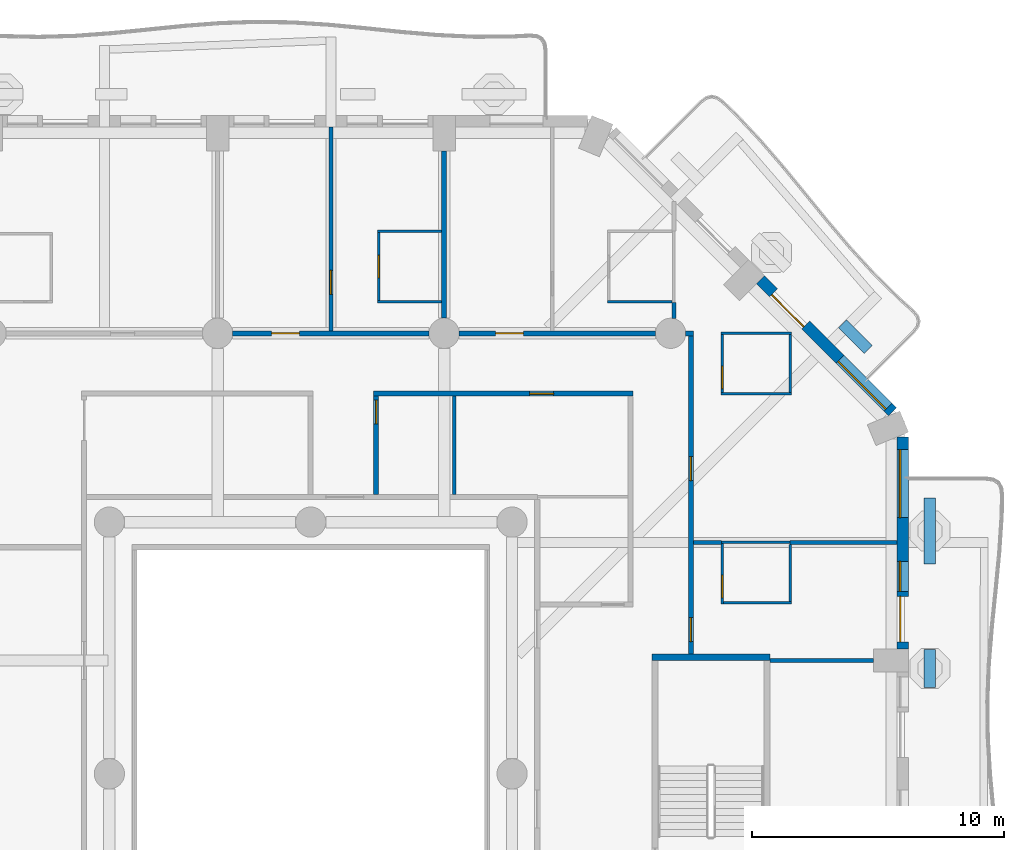
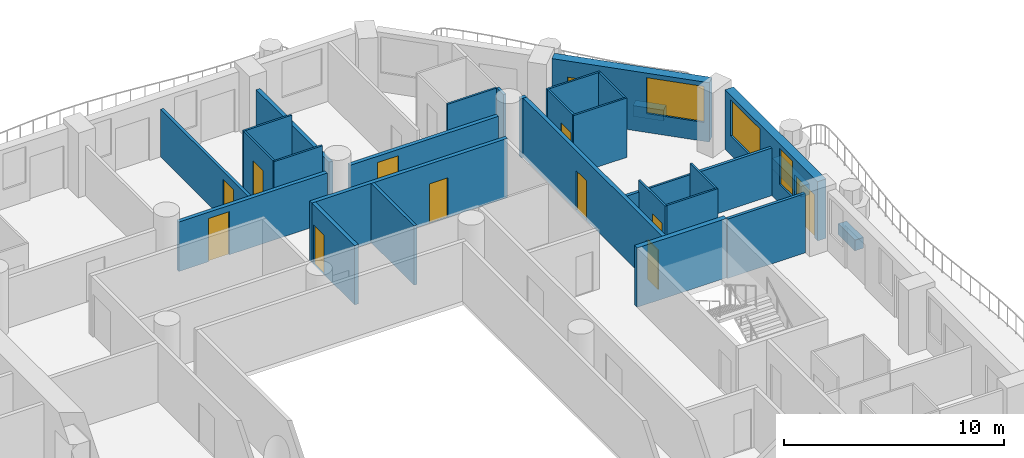
# One storey, part 9 of 20: 31 walls, 12 doors, 3 windows, 15 openings.
"""IFC4 building model written with IfcOpenShell, lengths in metres."""

import ifcopenshell
import ifcopenshell.guid

model = None  # the IFC model being written
_history = None  # IfcOwnerHistory: only IFC2X3 demands one
_inside = {}  # id of a spatial element -> (the spatial element, [elements in it])
_under = {}  # id of a project, library or spatial element -> (it, [spatial elements below it])
_declared = {}  # id of a project -> (the project, [libraries it declares])
_typed = {}  # id of a type object -> (the type object, [elements of that type])
_made_of = {}  # id of a material, layer set ... -> (it, [elements and type objects made of it])


def new_model(schema):
    """Start an empty IFC model of exactly this schema.

    Asked for "IFC4X3", IfcOpenShell would pick the latest addendum, in which some entities
    have other attributes; the version numbers below select the first issue.
    IFC2X3 requires an IfcOwnerHistory on every rooted entity: one is made here for all.
    """
    global model, _history
    if schema == "IFC4X3":
        model = ifcopenshell.file(schema_version=(4, 3, 0, 0))
    else:
        model = ifcopenshell.file(schema=schema)
    _inside.clear()
    _under.clear()
    _declared.clear()
    _typed.clear()
    _made_of.clear()
    _history = None
    if model.schema == "IFC2X3":
        org = make("IfcOrganization", Name="unknown")
        user = make(
            "IfcPersonAndOrganization",
            ThePerson=make("IfcPerson", FamilyName="unknown"),
            TheOrganization=org,
        )
        app = make(
            "IfcApplication",
            ApplicationDeveloper=org,
            Version="unknown",
            ApplicationFullName="unknown",
            ApplicationIdentifier="unknown",
        )
        _history = make(
            "IfcOwnerHistory",
            OwningUser=user,
            OwningApplication=app,
            ChangeAction="ADDED",
            CreationDate=0,
        )
    return model


def make(cls, **values):
    """One entity of the class cls with the attributes given. An attribute that is None is left unset."""
    return model.create_entity(
        cls, **{name: value for name, value in values.items() if value is not None}
    )


def rooted(cls, **values):
    """An entity with a GlobalId (a new one), such as an element, a storey or a relation."""
    return make(cls, GlobalId=ifcopenshell.guid.new(), OwnerHistory=_history, **values)


def si_unit(unit_type, name, prefix=None):
    """IfcSIUnit, for example si_unit("LENGTHUNIT", "METRE", prefix="MILLI")."""
    return make("IfcSIUnit", UnitType=unit_type, Prefix=prefix, Name=name)


def assignment(units):
    """IfcUnitAssignment: the units of a project."""
    return None if units is None else make("IfcUnitAssignment", Units=units)


def point(xyz):
    """IfcCartesianPoint."""
    return None if xyz is None else make("IfcCartesianPoint", Coordinates=xyz)


def direction(xyz):
    """IfcDirection."""
    return None if xyz is None else make("IfcDirection", DirectionRatios=xyz)


def frame(location, z_axis=None, x_axis=None):
    """IfcAxis2Placement3D, a coordinate frame: its origin and axes. An axis left out is left unset."""
    return make(
        "IfcAxis2Placement3D",
        Location=point(location),
        Axis=direction(z_axis),
        RefDirection=direction(x_axis),
    )


def frame_2d(location, x_axis=None):
    """IfcAxis2Placement2D, a coordinate frame in the plane: its origin and x axis."""
    return make(
        "IfcAxis2Placement2D", Location=point(location), RefDirection=direction(x_axis)
    )


def origin():
    """The frame at (0, 0, 0) with its axes left unset."""
    return frame((0.0, 0.0, 0.0))


def place(relative_to, where):
    """IfcLocalPlacement: puts the frame where relative to a parent placement (None: the world)."""
    return make(
        "IfcLocalPlacement", PlacementRelTo=relative_to, RelativePlacement=where
    )


def context(
    kind, dimensions, precision=None, world=None, true_north=None, identifier=None
):
    """IfcGeometricRepresentationContext, for example the 3D "Model" context."""
    return make(
        "IfcGeometricRepresentationContext",
        ContextIdentifier=identifier,
        ContextType=kind,
        CoordinateSpaceDimension=dimensions,
        Precision=precision,
        WorldCoordinateSystem=world,
        TrueNorth=true_north,
    )


def subcontext(parent, identifier, kind, view, scale=None):
    """IfcGeometricRepresentationSubContext, for example "Body" below "Model"."""
    return make(
        "IfcGeometricRepresentationSubContext",
        ContextIdentifier=identifier,
        ContextType=kind,
        ParentContext=parent,
        TargetScale=scale,
        TargetView=view,
    )


def project(units=None, contexts=None):
    """IfcProject with its units and contexts."""
    return rooted(
        "IfcProject",
        Name="project",
        RepresentationContexts=contexts,
        UnitsInContext=assignment(units),
    )


def spatial(cls, under=None, at=None, **own):
    """A site, building, storey or space (cls), placed at a placement, below another one or the project."""
    s = rooted(cls, ObjectPlacement=at, **own)
    if under is not None:
        _under.setdefault(under.id(), (under, []))[1].append(s)
    return s


def profile(cls, at=None, kind="AREA", **sizes):
    """A parametric profile (cls). Its sizes go by their IFC names, for example OverallWidth=200.0."""
    return make(cls, ProfileType=kind, Position=at, **sizes)


def rectangle(**sizes):
    """IfcRectangleProfileDef."""
    return profile("IfcRectangleProfileDef", **sizes)


def extrude(swept, where, along, depth):
    """IfcExtrudedAreaSolid: the profile swept, set in the frame where, extruded along a direction by depth."""
    return make(
        "IfcExtrudedAreaSolid",
        SweptArea=swept,
        Position=where,
        ExtrudedDirection=direction(along),
        Depth=depth,
    )


def shape(context_of_items, identifier, shape_type, items):
    """IfcShapeRepresentation: the items that make up one representation, for example the "Body"."""
    return make(
        "IfcShapeRepresentation",
        ContextOfItems=context_of_items,
        RepresentationIdentifier=identifier,
        RepresentationType=shape_type,
        Items=items,
    )


def material(Name=None, Category=None):
    """IfcMaterial."""
    return make("IfcMaterial", Name=Name, Category=Category)


def layer(
    of_material, thickness, ventilated=None, Name=None, Category=None, Priority=None
):
    """IfcMaterialLayer: one layer of a wall or slab, of a material (None: an air gap)."""
    return make(
        "IfcMaterialLayer",
        Material=of_material,
        LayerThickness=thickness,
        IsVentilated=ventilated,
        Name=Name,
        Category=Category,
        Priority=Priority,
    )


def layer_set(layers, Name=None):
    """IfcMaterialLayerSet."""
    return make("IfcMaterialLayerSet", MaterialLayers=layers, LayerSetName=Name)


def made_of(thing, what):
    """Note that an element or type object is made of a material, layer set ...; save() writes the relation."""
    if what is not None:
        _made_of.setdefault(what.id(), (what, []))[1].append(thing)
    return thing


def type_object(cls, material=None, **own):
    """A type object (cls), such as IfcWallType, which elements share."""
    return made_of(rooted(cls, **own), material)


def element(
    cls,
    number,
    at=None,
    inside=None,
    cuts=None,
    type_object=None,
    material=None,
    context=None,
    identifier="Body",
    shape_type=None,
    held_by="IfcProductDefinitionShape",
    body=None,
    shapes=None,
    **own,
):
    """One element of the class cls, such as IfcWall. Its Tag is "e" and its number.

    at: its placement. inside: the storey or other place that contains it. cuts: it is an
    opening in that element (IfcRelVoidsElement). A single representation is given by context,
    identifier, shape_type and body (its items); several are given by shapes. held_by: the class
    of the entity that holds the representations. save() writes the other relations.
    """
    e = rooted(cls, Tag="e%d" % number, ObjectPlacement=at, **own)
    if body is not None:
        shapes = [shape(context, identifier, shape_type, body)]
    if shapes is not None:
        e.Representation = make(held_by, Representations=shapes)
    if inside is not None:
        _inside.setdefault(inside.id(), (inside, []))[1].append(e)
    if cuts is not None:
        rooted(
            "IfcRelVoidsElement", RelatingBuildingElement=cuts, RelatedOpeningElement=e
        )
    if type_object is not None:
        _typed.setdefault(type_object.id(), (type_object, []))[1].append(e)
    return made_of(e, material)


def fill(opening, filler):
    """IfcRelFillsElement: the door or window that sits in an opening."""
    return rooted(
        "IfcRelFillsElement",
        RelatingOpeningElement=opening,
        RelatedBuildingElement=filler,
    )


def aggregate(whole, parts):
    """IfcRelAggregates: a whole, such as a stair, and the parts it consists of."""
    return rooted("IfcRelAggregates", RelatingObject=whole, RelatedObjects=parts)


def save(model, path):
    """Write the relations noted so far, then the file.

    IfcRelAggregates (storeys below a building ...), IfcRelContainedInSpatialStructure (elements
    in a storey), IfcRelDefinesByType, IfcRelAssociatesMaterial and IfcRelDeclares: one each for
    every whole, place, type object, material and project.
    """
    for whole, parts in _under.values():
        aggregate(whole, parts)
    for where, things in _inside.values():
        rooted(
            "IfcRelContainedInSpatialStructure",
            RelatedElements=things,
            RelatingStructure=where,
        )
    for kind, things in _typed.values():
        rooted("IfcRelDefinesByType", RelatedObjects=things, RelatingType=kind)
    for what, things in _made_of.values():
        rooted("IfcRelAssociatesMaterial", RelatedObjects=things, RelatingMaterial=what)
    for by, libraries in _declared.values():
        rooted("IfcRelDeclares", RelatingContext=by, RelatedDefinitions=libraries)
    model.write(path)


model = new_model("IFC4")

# Units and contexts
model_context = context("Model", 3, precision=1e-05, world=origin(), true_north=direction((0.0, 1.0)))
body_context = subcontext(model_context, "Body", "Model", "MODEL_VIEW")
ifc_project = project(units=[si_unit("LENGTHUNIT", "METRE"), si_unit("AREAUNIT", "SQUARE_METRE"), si_unit("VOLUMEUNIT", "CUBIC_METRE"), si_unit("PLANEANGLEUNIT", "RADIAN"), si_unit("MASSUNIT", "GRAM", prefix="KILO")], contexts=[model_context])

# Site, building, storey
site_placement = place(None, origin())
site = spatial("IfcSite", under=ifc_project, at=site_placement, CompositionType="ELEMENT")
building_placement = place(site_placement, origin())
building = spatial("IfcBuilding", under=site, at=building_placement, Name="Cypress Arch Tower", CompositionType="ELEMENT")
storey_placement = place(building_placement, frame((0.0, 0.0, 84.300048828125)))
storey = spatial("IfcBuildingStorey", under=building, at=storey_placement, Name="L15", CompositionType="ELEMENT", Elevation=84.300048828125)

# Walls
ifc_material_1 = material(Name="Concrete C40/50, waterproofed", Category="concrete")
ifc_layer_1 = layer(ifc_material_1, 0.449951171875)
ifc_layer_set_1 = layer_set([ifc_layer_1], Name="Balcony planter wall PW450")
wall_type_1 = type_object("IfcWallType", Name="Balcony planter wall PW450", PredefinedType="SOLIDWALL", material=ifc_layer_set_1)
wall_1_placement = place(storey_placement, frame((25.60009765625, 3.42138671875, 0.0), z_axis=(0.0, 0.0, 1.0), x_axis=(0.0, 1.0, 0.0)))
element("IfcWall", 1, at=wall_1_placement, inside=storey, type_object=wall_type_1, Name="Balcony planter wall L15-A06.2", PredefinedType="SOLIDWALL", context=body_context, shape_type="SweptSolid", body=[
    extrude(rectangle(XDim=1.5224609375, YDim=0.449951171875, at=frame_2d((0.76123046875, 0.0))), origin(), (0.0, 0.0, 1.0), 0.599853515625),
])
wall_2_placement = place(storey_placement, frame((25.60009765625, 8.335693359375, 0.0), z_axis=(0.0, 0.0, 1.0), x_axis=(0.0, 1.0, 0.0)))
element("IfcWall", 2, at=wall_2_placement, inside=storey, type_object=wall_type_1, Name="Balcony planter wall L15-A06.3", PredefinedType="SOLIDWALL", context=body_context, shape_type="SweptSolid", body=[
    extrude(rectangle(XDim=2.6142578125, YDim=0.449951171875, at=frame_2d((1.30712890625, 0.0))), origin(), (0.0, 0.0, 1.0), 0.599853515625),
])
wall_3_placement = place(storey_placement, frame((23.150390625, 16.86376953125, 0.0), z_axis=(0.0, 0.0, 1.0), x_axis=(-0.707106781187, 0.707106781187, 0.0)))
element("IfcWall", 3, at=wall_3_placement, inside=storey, type_object=wall_type_1, Name="Balcony planter wall L15-A07.1", PredefinedType="SOLIDWALL", context=body_context, shape_type="SweptSolid", body=[
    extrude(rectangle(XDim=1.44482421875, YDim=0.449951171875, at=frame_2d((0.722412109375, 0.0))), origin(), (0.0, 0.0, 1.0), 0.599853515625),
])

# Wall, openings, door, windows
ifc_material_2 = material(Name="Brick (red buff blend)", Category="masonry")
ifc_layer_2 = layer(ifc_material_2, 0.449951171875)
ifc_layer_set_2 = layer_set([ifc_layer_2], Name="Brick pier and spandrel wall BW450")
wall_type_2 = type_object("IfcWallType", Name="Brick pier and spandrel wall BW450", PredefinedType="SOLIDWALL", material=ifc_layer_set_2)
wall_4_placement = place(storey_placement, frame((24.52490234375, 4.949951171875, 0.0), z_axis=(0.0, 0.0, 1.0), x_axis=(0.0, 1.0, 0.0)))
wall_4 = element("IfcWall", 4, at=wall_4_placement, inside=storey, type_object=wall_type_2, Name="Brick wall L15 A06.3", PredefinedType="SOLIDWALL", context=body_context, shape_type="SweptSolid", body=[
    extrude(rectangle(XDim=8.438720703125, YDim=0.449951171875, at=frame_2d((4.21923828125, 0.0))), origin(), (0.0, 0.0, 1.0), 3.300048828125),
])
opening_1_placement = place(wall_4_placement, frame((0.2939453125, 0.0, 0.0)))
opening_1 = element("IfcOpeningElement", 5, at=opening_1_placement, cuts=wall_4, Name="Opening D-L15-A06.3.1", PredefinedType="OPENING", context=body_context, shape_type="SweptSolid", body=[
    extrude(rectangle(XDim=1.800048828125, YDim=2.39990234375, at=frame_2d((0.89990234375, 1.199951171875))), frame((0.0, 0.23486328125, 0.0), z_axis=(0.0, -1.0, 0.0), x_axis=(1.0, 0.0, 0.0)), (0.0, 0.0, 1.0), 0.469970703125),
])
opening_2_placement = place(wall_4_placement, frame((2.2939453125, 0.0, 1.050048828125)))
opening_2 = element("IfcOpeningElement", 6, at=opening_2_placement, cuts=wall_4, Name="Opening W120HD", PredefinedType="OPENING", context=body_context, shape_type="SweptSolid", body=[
    extrude(rectangle(XDim=1.199951171875, YDim=2.0, at=frame_2d((0.60009765625, 1.0))), frame((0.0, 0.23486328125, 0.0), z_axis=(0.0, -1.0, 0.0), x_axis=(1.0, 0.0, 0.0)), (0.0, 0.0, 1.0), 0.469970703125),
])
opening_3_placement = place(wall_4_placement, frame((5.231689453125, 0.0, 1.050048828125)))
opening_3 = element("IfcOpeningElement", 7, at=opening_3_placement, cuts=wall_4, Name="Opening W270HD", PredefinedType="OPENING", context=body_context, shape_type="SweptSolid", body=[
    extrude(rectangle(XDim=2.699951171875, YDim=2.0, at=frame_2d((1.35009765625, 1.0))), frame((0.0, 0.23486328125, 0.0), z_axis=(0.0, -1.0, 0.0), x_axis=(1.0, 0.0, 0.0)), (0.0, 0.0, 1.0), 0.469970703125),
])
ifc_material_3 = material(Name="Anodised aluminium, bronze finish, laminated low-emissivity double glazing, large-missile impact rated", Category="aluminium")
door_type_1 = type_object("IfcDoorType", Name="Balcony sliding door 1800x2400", OperationType="SLIDING_TO_LEFT", PredefinedType="DOOR", material=ifc_material_3)
door_1_placement = place(opening_1_placement, origin())
door_1 = element("IfcDoor", 8, at=door_1_placement, inside=storey, type_object=door_type_1, Name="Balcony door L15 A06.3.1", OperationType="SLIDING_TO_LEFT", OverallHeight=2.39990234375, OverallWidth=1.800048828125, PredefinedType="DOOR", context=body_context, shape_type="SweptSolid", body=[
    extrude(rectangle(XDim=1.800048828125, YDim=2.39990234375, at=frame_2d((0.89990234375, 1.199951171875))), frame((0.0, 0.1298828125, 0.0), z_axis=(0.0, -1.0, 0.0), x_axis=(1.0, 0.0, 0.0)), (0.0, 0.0, 1.0), 0.050048828125),
])
fill(opening_1, door_1)
ifc_material_4 = material(Name="Anodised aluminium, bronze finish, laminated low-emissivity double glazing, large-missile impact rated", Category="aluminium")
window_type_1 = type_object("IfcWindowType", Name="Window Hotel 1200x2000 debris-rated", PartitioningType="SINGLE_PANEL", PredefinedType="WINDOW", material=ifc_material_4)
window_1_placement = place(opening_2_placement, origin())
window_1 = element("IfcWindow", 9, at=window_1_placement, inside=storey, type_object=window_type_1, Name="Window L15 A06.3.1", OverallHeight=2.0, OverallWidth=1.199951171875, PartitioningType="SINGLE_PANEL", PredefinedType="WINDOW", context=body_context, shape_type="SweptSolid", body=[
    extrude(rectangle(XDim=1.199951171875, YDim=2.0, at=frame_2d((0.60009765625, 1.0))), frame((0.0, 0.135009765625, 0.0), z_axis=(0.0, -1.0, 0.0), x_axis=(1.0, 0.0, 0.0)), (0.0, 0.0, 1.0), 0.06005859375),
])
fill(opening_2, window_1)
ifc_material_5 = material(Name="Anodised aluminium, bronze finish, laminated low-emissivity double glazing, large-missile impact rated", Category="aluminium")
window_type_2 = type_object("IfcWindowType", Name="Window Hotel 2700x2000 debris-rated", PartitioningType="SINGLE_PANEL", PredefinedType="WINDOW", material=ifc_material_5)
window_2_placement = place(opening_3_placement, origin())
window_2 = element("IfcWindow", 10, at=window_2_placement, inside=storey, type_object=window_type_2, Name="Window L15 A06.3.2", OverallHeight=2.0, OverallWidth=2.699951171875, PartitioningType="SINGLE_PANEL", PredefinedType="WINDOW", context=body_context, shape_type="SweptSolid", body=[
    extrude(rectangle(XDim=2.699951171875, YDim=2.0, at=frame_2d((1.35009765625, 1.0))), frame((0.0, 0.135009765625, 0.0), z_axis=(0.0, -1.0, 0.0), x_axis=(1.0, 0.0, 0.0)), (0.0, 0.0, 1.0), 0.06005859375),
])
fill(opening_3, window_2)

# Wall, openings, door, window
wall_5_placement = place(storey_placement, frame((24.11474609375, 14.379150390625, 0.0), z_axis=(0.0, 0.0, 1.0), x_axis=(-0.707106781187, 0.707106781187, 0.0)))
wall_5 = element("IfcWall", 11, at=wall_5_placement, inside=storey, type_object=wall_type_2, Name="Brick wall L15 A07.0", PredefinedType="SOLIDWALL", context=body_context, shape_type="SweptSolid", body=[
    extrude(rectangle(XDim=7.423828125, YDim=0.449951171875, at=frame_2d((3.7119140625, 0.0))), origin(), (0.0, 0.0, 1.0), 3.300048828125),
])
opening_4_placement = place(wall_5_placement, frame((0.253173828125, 0.0, 1.050048828125)))
opening_4 = element("IfcOpeningElement", 12, at=opening_4_placement, cuts=wall_5, Name="Opening W270HD", PredefinedType="OPENING", context=body_context, shape_type="SweptSolid", body=[
    extrude(rectangle(XDim=2.699951171875, YDim=2.0, at=frame_2d((1.35009765625, 1.0))), frame((0.0, 0.23486328125, 0.0), z_axis=(0.0, -1.0, 0.0), x_axis=(1.0, 0.0, 0.0)), (0.0, 0.0, 1.0), 0.469970703125),
])
opening_5_placement = place(wall_5_placement, frame((4.8837890625, 0.0, 0.0)))
opening_5 = element("IfcOpeningElement", 13, at=opening_5_placement, cuts=wall_5, Name="Opening D-L15-A07.0.2", PredefinedType="OPENING", context=body_context, shape_type="SweptSolid", body=[
    extrude(rectangle(XDim=1.800048828125, YDim=2.39990234375, at=frame_2d((0.89990234375, 1.199951171875))), frame((0.0, 0.23486328125, 0.0), z_axis=(0.0, -1.0, 0.0), x_axis=(1.0, 0.0, 0.0)), (0.0, 0.0, 1.0), 0.469970703125),
])
door_2_placement = place(opening_5_placement, origin())
door_2 = element("IfcDoor", 14, at=door_2_placement, inside=storey, type_object=door_type_1, Name="Balcony door L15 A07.0.2", OperationType="SLIDING_TO_LEFT", OverallHeight=2.39990234375, OverallWidth=1.800048828125, PredefinedType="DOOR", context=body_context, shape_type="SweptSolid", body=[
    extrude(rectangle(XDim=1.800048828125, YDim=2.39990234375, at=frame_2d((0.89990234375, 1.199951171875))), frame((0.0, 0.1298828125, 0.0), z_axis=(0.0, -1.0, 0.0), x_axis=(1.0, 0.0, 0.0)), (0.0, 0.0, 1.0), 0.050048828125),
])
fill(opening_5, door_2)
window_3_placement = place(opening_4_placement, origin())
window_3 = element("IfcWindow", 15, at=window_3_placement, inside=storey, type_object=window_type_2, Name="Window L15 A07.0.1", OverallHeight=2.0, OverallWidth=2.699951171875, PartitioningType="SINGLE_PANEL", PredefinedType="WINDOW", context=body_context, shape_type="SweptSolid", body=[
    extrude(rectangle(XDim=2.699951171875, YDim=2.0, at=frame_2d((1.35009765625, 1.0))), frame((0.0, 0.135009765625, 0.0), z_axis=(0.0, -1.0, 0.0), x_axis=(1.0, 0.0, 0.0)), (0.0, 0.0, 1.0), 0.06005859375),
])
fill(opening_4, window_3)

# Wall, opening, door
ifc_material_6 = material(Name="Concrete blockwork, plastered, rated", Category="masonry")
ifc_layer_3 = layer(ifc_material_6, 0.199951171875)
ifc_layer_set_3 = layer_set([ifc_layer_3], Name="Corridor wall FW200")
wall_type_3 = type_object("IfcWallType", Name="Corridor wall FW200", PredefinedType="PARTITIONING", material=ifc_layer_set_3)
wall_6_placement = place(storey_placement, frame((-2.10009765625, 17.5, 0.0), z_axis=(0.0, 0.0, 1.0), x_axis=(1.0, 0.0, 0.0)))
wall_6 = element("IfcWall", 16, at=wall_6_placement, inside=storey, type_object=wall_type_3, Name="Corridor wall", PredefinedType="PARTITIONING", context=body_context, shape_type="SweptSolid", body=[
    extrude(rectangle(XDim=7.800048828125, YDim=0.199951171875, at=frame_2d((3.89990234375, 0.0))), origin(), (0.0, 0.0, 1.0), 2.75),
])
opening_6_placement = place(wall_6_placement, frame((1.550048828125, 0.0, 0.0)))
opening_6 = element("IfcOpeningElement", 17, at=opening_6_placement, cuts=wall_6, Name="Opening D01", PredefinedType="OPENING", context=body_context, shape_type="SweptSolid", body=[
    extrude(rectangle(XDim=1.10009765625, YDim=2.39990234375, at=frame_2d((0.550048828125, 1.199951171875))), frame((0.0, 0.10986328125, 0.0), z_axis=(0.0, -1.0, 0.0), x_axis=(1.0, 0.0, 0.0)), (0.0, 0.0, 1.0), 0.219970703125),
])
ifc_material_7 = material(Name="Timber flush door, fire resisting, self-closing", Category="wood")
door_type_2 = type_object("IfcDoorType", Name="Unit entrance door D01 1100x2400", OperationType="SINGLE_SWING_LEFT", PredefinedType="DOOR", material=ifc_material_7)
door_3_placement = place(opening_6_placement, origin())
door_3 = element("IfcDoor", 18, at=door_3_placement, inside=storey, type_object=door_type_2, Name="Unit entrance door", OperationType="SINGLE_SWING_RIGHT", OverallHeight=2.39990234375, OverallWidth=1.10009765625, PredefinedType="DOOR", context=body_context, shape_type="SweptSolid", body=[
    extrude(rectangle(XDim=1.10009765625, YDim=2.39990234375, at=frame_2d((0.550048828125, 1.199951171875))), frame((0.0, 0.02490234375, 0.0), z_axis=(0.0, -1.0, 0.0), x_axis=(1.0, 0.0, 0.0)), (0.0, 0.0, 1.0), 0.050048828125),
])
fill(opening_6, door_3)

wall_7_placement = place(storey_placement, frame((6.89990234375, 17.5, 0.0), z_axis=(0.0, 0.0, 1.0), x_axis=(1.0, 0.0, 0.0)))
wall_7 = element("IfcWall", 19, at=wall_7_placement, inside=storey, type_object=wall_type_3, Name="Corridor wall", PredefinedType="PARTITIONING", context=body_context, shape_type="SweptSolid", body=[
    extrude(rectangle(XDim=7.800048828125, YDim=0.199951171875, at=frame_2d((3.89990234375, 0.0))), origin(), (0.0, 0.0, 1.0), 2.75),
])
opening_7_placement = place(wall_7_placement, frame((1.449951171875, 0.0, 0.0)))
opening_7 = element("IfcOpeningElement", 20, at=opening_7_placement, cuts=wall_7, Name="Opening D01", PredefinedType="OPENING", context=body_context, shape_type="SweptSolid", body=[
    extrude(rectangle(XDim=1.10009765625, YDim=2.39990234375, at=frame_2d((0.550048828125, 1.199951171875))), frame((0.0, 0.10986328125, 0.0), z_axis=(0.0, -1.0, 0.0), x_axis=(1.0, 0.0, 0.0)), (0.0, 0.0, 1.0), 0.219970703125),
])
door_4_placement = place(opening_7_placement, origin())
door_4 = element("IfcDoor", 21, at=door_4_placement, inside=storey, type_object=door_type_2, Name="Unit entrance door", OperationType="SINGLE_SWING_RIGHT", OverallHeight=2.39990234375, OverallWidth=1.10009765625, PredefinedType="DOOR", context=body_context, shape_type="SweptSolid", body=[
    extrude(rectangle(XDim=1.10009765625, YDim=2.39990234375, at=frame_2d((0.550048828125, 1.199951171875))), frame((0.0, 0.02490234375, 0.0), z_axis=(0.0, -1.0, 0.0), x_axis=(1.0, 0.0, 0.0)), (0.0, 0.0, 1.0), 0.050048828125),
])
fill(opening_7, door_4)

# Wall
wall_8_placement = place(storey_placement, frame((15.89990234375, 17.5, 0.0), z_axis=(0.0, 0.0, 1.0), x_axis=(1.0, 0.0, 0.0)))
element("IfcWall", 22, at=wall_8_placement, inside=storey, type_object=wall_type_3, Name="Corridor wall", PredefinedType="PARTITIONING", context=body_context, shape_type="SweptSolid", body=[
    extrude(rectangle(XDim=0.300048828125, YDim=0.199951171875, at=frame_2d((0.14990234375, 0.0))), origin(), (0.0, 0.0, 1.0), 3.300048828125),
])

# Wall, opening, door
wall_9_placement = place(storey_placement, frame((3.60009765625, 11.10009765625, 0.0), z_axis=(0.0, 0.0, 1.0), x_axis=(0.0, 1.0, 0.0)))
wall_9 = element("IfcWall", 23, at=wall_9_placement, inside=storey, type_object=wall_type_3, Name="Corridor wall", PredefinedType="PARTITIONING", context=body_context, shape_type="SweptSolid", body=[
    extrude(rectangle(XDim=3.89990234375, YDim=0.199951171875, at=frame_2d((1.949951171875, 0.0))), origin(), (0.0, 0.0, 1.0), 3.300048828125),
])
opening_8_placement = place(wall_9_placement, frame((2.800048828125, 0.0, 0.0)))
opening_8 = element("IfcOpeningElement", 24, at=opening_8_placement, cuts=wall_9, Name="Opening D02", PredefinedType="OPENING", context=body_context, shape_type="SweptSolid", body=[
    extrude(rectangle(XDim=0.949951171875, YDim=2.199951171875, at=frame_2d((0.47509765625, 1.10009765625))), frame((0.0, 0.10986328125, 0.0), z_axis=(0.0, -1.0, 0.0), x_axis=(1.0, 0.0, 0.0)), (0.0, 0.0, 1.0), 0.219970703125),
])
ifc_material_8 = material(Name="Timber flush door, fire resisting", Category="wood")
door_type_3 = type_object("IfcDoorType", Name="Room door D02 950x2200", OperationType="SINGLE_SWING_LEFT", PredefinedType="DOOR", material=ifc_material_8)
door_5_placement = place(opening_8_placement, origin())
door_5 = element("IfcDoor", 25, at=door_5_placement, inside=storey, type_object=door_type_3, Name="Room door", OperationType="SINGLE_SWING_LEFT", OverallHeight=2.199951171875, OverallWidth=0.949951171875, PredefinedType="DOOR", context=body_context, shape_type="SweptSolid", body=[
    extrude(rectangle(XDim=0.949951171875, YDim=2.199951171875, at=frame_2d((0.47509765625, 1.10009765625))), frame((0.0, 0.02490234375, 0.0), z_axis=(0.0, -1.0, 0.0), x_axis=(1.0, 0.0, 0.0)), (0.0, 0.0, 1.0), 0.050048828125),
])
fill(opening_8, door_5)

wall_10_placement = place(storey_placement, frame((3.5, 15.10009765625, 0.0), z_axis=(0.0, 0.0, 1.0), x_axis=(1.0, 0.0, 0.0)))
wall_10 = element("IfcWall", 26, at=wall_10_placement, inside=storey, type_object=wall_type_3, Name="Corridor wall", PredefinedType="PARTITIONING", context=body_context, shape_type="SweptSolid", body=[
    extrude(rectangle(XDim=10.300048828125, YDim=0.199951171875, at=frame_2d((5.14990234375, 0.0))), origin(), (0.0, 0.0, 1.0), 3.300048828125),
])
opening_9_placement = place(wall_10_placement, frame((6.199951171875, 0.0, 0.0)))
opening_9 = element("IfcOpeningElement", 27, at=opening_9_placement, cuts=wall_10, Name="Opening D02", PredefinedType="OPENING", context=body_context, shape_type="SweptSolid", body=[
    extrude(rectangle(XDim=0.949951171875, YDim=2.199951171875, at=frame_2d((0.47509765625, 1.10009765625))), frame((0.0, 0.10986328125, 0.0), z_axis=(0.0, -1.0, 0.0), x_axis=(1.0, 0.0, 0.0)), (0.0, 0.0, 1.0), 0.219970703125),
])
door_6_placement = place(opening_9_placement, origin())
door_6 = element("IfcDoor", 28, at=door_6_placement, inside=storey, type_object=door_type_3, Name="Room door", OperationType="SINGLE_SWING_RIGHT", OverallHeight=2.199951171875, OverallWidth=0.949951171875, PredefinedType="DOOR", context=body_context, shape_type="SweptSolid", body=[
    extrude(rectangle(XDim=0.949951171875, YDim=2.199951171875, at=frame_2d((0.47509765625, 1.10009765625))), frame((0.0, 0.02490234375, 0.0), z_axis=(0.0, -1.0, 0.0), x_axis=(1.0, 0.0, 0.0)), (0.0, 0.0, 1.0), 0.050048828125),
])
fill(opening_9, door_6)

# Wall, openings, doors
wall_11_placement = place(storey_placement, frame((16.10009765625, 4.75, 0.0), z_axis=(0.0, 0.0, 1.0), x_axis=(0.0, 1.0, 0.0)))
wall_11 = element("IfcWall", 29, at=wall_11_placement, inside=storey, type_object=wall_type_3, Name="Corridor wall", PredefinedType="PARTITIONING", context=body_context, shape_type="SweptSolid", body=[
    extrude(rectangle(XDim=12.64990234375, YDim=0.199951171875, at=frame_2d((6.324951171875, 0.0))), origin(), (0.0, 0.0, 1.0), 3.300048828125),
])
opening_10_placement = place(wall_11_placement, frame((0.5, 0.0, 0.0)))
opening_10 = element("IfcOpeningElement", 30, at=opening_10_placement, cuts=wall_11, Name="Opening D02", PredefinedType="OPENING", context=body_context, shape_type="SweptSolid", body=[
    extrude(rectangle(XDim=0.949951171875, YDim=2.199951171875, at=frame_2d((0.47509765625, 1.10009765625))), frame((0.0, 0.10986328125, 0.0), z_axis=(0.0, -1.0, 0.0), x_axis=(1.0, 0.0, 0.0)), (0.0, 0.0, 1.0), 0.219970703125),
])
opening_11_placement = place(wall_11_placement, frame((6.89990234375, 0.0, 0.0)))
opening_11 = element("IfcOpeningElement", 31, at=opening_11_placement, cuts=wall_11, Name="Opening D02", PredefinedType="OPENING", context=body_context, shape_type="SweptSolid", body=[
    extrude(rectangle(XDim=0.949951171875, YDim=2.199951171875, at=frame_2d((0.47509765625, 1.10009765625))), frame((0.0, 0.10986328125, 0.0), z_axis=(0.0, -1.0, 0.0), x_axis=(1.0, 0.0, 0.0)), (0.0, 0.0, 1.0), 0.219970703125),
])
door_7_placement = place(opening_10_placement, origin())
door_7 = element("IfcDoor", 32, at=door_7_placement, inside=storey, type_object=door_type_3, Name="Room door", OperationType="SINGLE_SWING_RIGHT", OverallHeight=2.199951171875, OverallWidth=0.949951171875, PredefinedType="DOOR", context=body_context, shape_type="SweptSolid", body=[
    extrude(rectangle(XDim=0.949951171875, YDim=2.199951171875, at=frame_2d((0.47509765625, 1.10009765625))), frame((0.0, 0.02490234375, 0.0), z_axis=(0.0, -1.0, 0.0), x_axis=(1.0, 0.0, 0.0)), (0.0, 0.0, 1.0), 0.050048828125),
])
fill(opening_10, door_7)
door_8_placement = place(opening_11_placement, origin())
door_8 = element("IfcDoor", 33, at=door_8_placement, inside=storey, type_object=door_type_3, Name="Room door", OperationType="SINGLE_SWING_RIGHT", OverallHeight=2.199951171875, OverallWidth=0.949951171875, PredefinedType="DOOR", context=body_context, shape_type="SweptSolid", body=[
    extrude(rectangle(XDim=0.949951171875, YDim=2.199951171875, at=frame_2d((0.47509765625, 1.10009765625))), frame((0.0, 0.02490234375, 0.0), z_axis=(0.0, -1.0, 0.0), x_axis=(1.0, 0.0, 0.0)), (0.0, 0.0, 1.0), 0.050048828125),
])
fill(opening_11, door_8)

# Wall, opening, door
ifc_material_9 = material(Name="Blockwork, plastered both sides", Category="masonry")
ifc_layer_4 = layer(ifc_material_9, 0.14990234375)
ifc_layer_set_4 = layer_set([ifc_layer_4], Name="Partition PW150")
wall_type_4 = type_object("IfcWallType", Name="Partition PW150", PredefinedType="PARTITIONING", material=ifc_layer_set_4)
wall_12_placement = place(storey_placement, frame((1.800048828125, 17.60009765625, 0.0), z_axis=(0.0, 0.0, 1.0), x_axis=(0.0, 1.0, 0.0)))
wall_12 = element("IfcWall", 34, at=wall_12_placement, inside=storey, type_object=wall_type_4, Name="Partition", PredefinedType="PARTITIONING", context=body_context, shape_type="SweptSolid", body=[
    extrude(rectangle(XDim=8.099853515625, YDim=0.14990234375, at=frame_2d((4.0498046875, 0.0))), origin(), (0.0, 0.0, 1.0), 2.64990234375),
])
opening_12_placement = place(wall_12_placement, frame((1.449951171875, 0.0, 0.0)))
opening_12 = element("IfcOpeningElement", 35, at=opening_12_placement, cuts=wall_12, Name="Opening D12", PredefinedType="OPENING", context=body_context, shape_type="SweptSolid", body=[
    extrude(rectangle(XDim=0.949951171875, YDim=2.199951171875, at=frame_2d((0.47509765625, 1.10009765625))), frame((0.0, 0.0849609375, 0.0), z_axis=(0.0, -1.0, 0.0), x_axis=(1.0, 0.0, 0.0)), (0.0, 0.0, 1.0), 0.169921875),
])
ifc_material_10 = material(Name="Timber flush door", Category="wood")
door_type_4 = type_object("IfcDoorType", Name="Room door D12 950x2200", OperationType="SINGLE_SWING_LEFT", PredefinedType="DOOR", material=ifc_material_10)
door_9_placement = place(opening_12_placement, origin())
door_9 = element("IfcDoor", 36, at=door_9_placement, inside=storey, type_object=door_type_4, Name="Room door", OperationType="SINGLE_SWING_LEFT", OverallHeight=2.199951171875, OverallWidth=0.949951171875, PredefinedType="DOOR", context=body_context, shape_type="SweptSolid", body=[
    extrude(rectangle(XDim=0.949951171875, YDim=2.199951171875, at=frame_2d((0.47509765625, 1.10009765625))), frame((0.0, 0.02490234375, 0.0), z_axis=(0.0, -1.0, 0.0), x_axis=(1.0, 0.0, 0.0)), (0.0, 0.0, 1.0), 0.050048828125),
])
fill(opening_12, door_9)

# Walls
wall_13_placement = place(storey_placement, frame((6.699951171875, 11.10009765625, 0.0), z_axis=(0.0, 0.0, 1.0), x_axis=(0.0, 1.0, 0.0)))
element("IfcWall", 37, at=wall_13_placement, inside=storey, type_object=wall_type_4, Name="Partition", PredefinedType="PARTITIONING", context=body_context, shape_type="SweptSolid", body=[
    extrude(rectangle(XDim=3.89990234375, YDim=0.14990234375, at=frame_2d((1.949951171875, 0.0))), origin(), (0.0, 0.0, 1.0), 3.300048828125),
])
wall_14_placement = place(storey_placement, frame((15.431884765625, 18.093994140625, 0.0), z_axis=(0.0, 0.0, 1.0), x_axis=(0.0, 1.0, 0.0)))
element("IfcWall", 38, at=wall_14_placement, inside=storey, type_object=wall_type_4, Name="Partition", PredefinedType="PARTITIONING", context=body_context, shape_type="SweptSolid", body=[
    extrude(rectangle(XDim=0.635986328125, YDim=0.14990234375, at=frame_2d((0.31787109375, 0.0))), origin(), (0.0, 0.0, 1.0), 3.300048828125),
])
wall_15_placement = place(storey_placement, frame((16.199951171875, 9.18994140625, 0.0), z_axis=(0.0, 0.0, 1.0), x_axis=(1.0, 0.0, 0.0)))
element("IfcWall", 39, at=wall_15_placement, inside=storey, type_object=wall_type_4, Name="Partition", PredefinedType="PARTITIONING", context=body_context, shape_type="SweptSolid", body=[
    extrude(rectangle(XDim=1.130126953125, YDim=0.14990234375, at=frame_2d((0.56494140625, 0.0))), origin(), (0.0, 0.0, 1.0), 2.64990234375),
])
wall_16_placement = place(storey_placement, frame((19.25, 4.5, 0.0), z_axis=(0.0, 0.0, 1.0), x_axis=(1.0, 0.0, 0.0)))
element("IfcWall", 40, at=wall_16_placement, inside=storey, type_object=wall_type_4, Name="Partition", PredefinedType="PARTITIONING", context=body_context, shape_type="SweptSolid", body=[
    extrude(rectangle(XDim=4.10009765625, YDim=0.14990234375, at=frame_2d((2.050048828125, 0.0))), origin(), (0.0, 0.0, 1.0), 3.300048828125),
])
wall_17_placement = place(storey_placement, frame((20.050048828125, 9.18994140625, 0.0), z_axis=(0.0, 0.0, 1.0), x_axis=(1.0, 0.0, 0.0)))
element("IfcWall", 41, at=wall_17_placement, inside=storey, type_object=wall_type_4, Name="Partition", PredefinedType="PARTITIONING", context=body_context, shape_type="SweptSolid", body=[
    extrude(rectangle(XDim=4.25, YDim=0.14990234375, at=frame_2d((2.125, 0.0))), origin(), (0.0, 0.0, 1.0), 2.64990234375),
])
ifc_material_11 = material(Name="Dense blockwork, plastered both sides, acoustic and rated", Category="masonry")
ifc_layer_5 = layer(ifc_material_11, 0.199951171875)
ifc_layer_set_5 = layer_set([ifc_layer_5], Name="Party wall PW200")
wall_type_5 = type_object("IfcWallType", Name="Party wall PW200", PredefinedType="PARTITIONING", material=ifc_layer_set_5)
wall_18_placement = place(storey_placement, frame((6.300048828125, 18.10009765625, 0.0), z_axis=(0.0, 0.0, 1.0), x_axis=(0.0, 1.0, 0.0)))
element("IfcWall", 42, at=wall_18_placement, inside=storey, type_object=wall_type_5, Name="Party wall", PredefinedType="PARTITIONING", context=body_context, shape_type="SweptSolid", body=[
    extrude(rectangle(XDim=6.64990234375, YDim=0.199951171875, at=frame_2d((3.324951171875, 0.0))), origin(), (0.0, 0.0, 1.0), 2.75),
])
ifc_material_12 = material(Name="Concrete C50/60", Category="concrete")
ifc_layer_6 = layer(ifc_material_12, 0.25)
ifc_layer_set_6 = layer_set([ifc_layer_6], Name="Stair enclosure wall SW250")
wall_type_6 = type_object("IfcWallType", Name="Stair enclosure wall SW250", PredefinedType="SHEAR", material=ifc_layer_set_6)
wall_19_placement = place(storey_placement, frame((14.550048828125, 4.625, 0.0), z_axis=(0.0, 0.0, 1.0), x_axis=(1.0, 0.0, 0.0)))
element("IfcWall", 43, at=wall_19_placement, inside=storey, type_object=wall_type_6, Name="Stair enclosure wall", PredefinedType="SHEAR", context=body_context, shape_type="SweptSolid", body=[
    extrude(rectangle(XDim=4.699951171875, YDim=0.25, at=frame_2d((2.35009765625, 0.0))), origin(), (0.0, 0.0, 1.0), 3.300048828125),
])

# Wall, opening, door
ifc_material_13 = material(Name="Moisture resistant board on steel studs, tiled", Category="steel")
ifc_layer_7 = layer(ifc_material_13, 0.10009765625)
ifc_layer_set_7 = layer_set([ifc_layer_7], Name="Wet wall PW100")
wall_type_7 = type_object("IfcWallType", Name="Wet wall PW100", PredefinedType="PARTITIONING", material=ifc_layer_set_7)
wall_20_placement = place(storey_placement, frame((3.7041015625, 18.800048828125, 0.0), z_axis=(0.0, 0.0, 1.0), x_axis=(0.0, 1.0, 0.0)))
wall_20 = element("IfcWall", 44, at=wall_20_placement, inside=storey, type_object=wall_type_7, Name="Wet wall", PredefinedType="PARTITIONING", context=body_context, shape_type="SweptSolid", body=[
    extrude(rectangle(XDim=2.699951171875, YDim=0.10009765625, at=frame_2d((1.35009765625, 0.0))), origin(), (0.0, 0.0, 1.0), 3.300048828125),
])
opening_13_placement = place(wall_20_placement, frame((0.89990234375, 0.0, 0.0)))
opening_13 = element("IfcOpeningElement", 45, at=opening_13_placement, cuts=wall_20, Name="Opening D03", PredefinedType="OPENING", context=body_context, shape_type="SweptSolid", body=[
    extrude(rectangle(XDim=0.89990234375, YDim=2.199951171875, at=frame_2d((0.449951171875, 1.10009765625))), frame((0.0, 0.06005859375, 0.0), z_axis=(0.0, -1.0, 0.0), x_axis=(1.0, 0.0, 0.0)), (0.0, 0.0, 1.0), 0.1201171875),
])
ifc_material_14 = material(Name="Timber flush door, moisture resistant", Category="wood")
door_type_5 = type_object("IfcDoorType", Name="Bathroom door D03 900x2200", OperationType="SINGLE_SWING_LEFT", PredefinedType="DOOR", material=ifc_material_14)
door_10_placement = place(opening_13_placement, origin())
door_10 = element("IfcDoor", 46, at=door_10_placement, inside=storey, type_object=door_type_5, Name="Bathroom door", OperationType="SINGLE_SWING_LEFT", OverallHeight=2.199951171875, OverallWidth=0.89990234375, PredefinedType="DOOR", context=body_context, shape_type="SweptSolid", body=[
    extrude(rectangle(XDim=0.89990234375, YDim=2.199951171875, at=frame_2d((0.449951171875, 1.10009765625))), frame((0.0, 0.02490234375, 0.0), z_axis=(0.0, -1.0, 0.0), x_axis=(1.0, 0.0, 0.0)), (0.0, 0.0, 1.0), 0.050048828125),
])
fill(opening_13, door_10)

# Walls
for number, where, z_axis, x_axis, name in (
    (47, (3.654052734375, 18.75, 0.0), (0.0, 0.0, 1.0), (1.0, 0.0, 0.0), "Wet wall"),
    (48, (3.654052734375, 21.550048828125, 0.0), (0.0, 0.0, 1.0), (1.0, 0.0, 0.0), "Wet wall"),
):
    element("IfcWall", number, at=place(storey_placement, frame(where, z_axis=z_axis, x_axis=x_axis)), inside=storey, type_object=wall_type_7, Name=name, PredefinedType="PARTITIONING", context=body_context, shape_type="SweptSolid", body=[
        extrude(rectangle(XDim=2.5458984375, YDim=0.10009765625, at=frame_2d((1.27294921875, 0.0))), origin(), (0.0, 0.0, 1.0), 3.300048828125),
    ])
wall_21_placement = place(storey_placement, frame((12.785888671875, 18.75, 0.0), z_axis=(0.0, 0.0, 1.0), x_axis=(1.0, 0.0, 0.0)))
element("IfcWall", 49, at=wall_21_placement, inside=storey, type_object=wall_type_7, Name="Wet wall", PredefinedType="PARTITIONING", context=body_context, shape_type="SweptSolid", body=[
    extrude(rectangle(XDim=2.571044921875, YDim=0.10009765625, at=frame_2d((1.28564453125, 0.0))), origin(), (0.0, 0.0, 1.0), 3.300048828125),
])
wall_22_placement = place(storey_placement, frame((17.330078125, 9.18994140625, 0.0), z_axis=(0.0, 0.0, 1.0), x_axis=(1.0, 0.0, 0.0)))
element("IfcWall", 50, at=wall_22_placement, inside=storey, type_object=wall_type_7, Name="Wet wall", PredefinedType="PARTITIONING", context=body_context, shape_type="SweptSolid", body=[
    extrude(rectangle(XDim=2.719970703125, YDim=0.10009765625, at=frame_2d((1.35986328125, 0.0))), origin(), (0.0, 0.0, 1.0), 2.64990234375),
])

# Wall, opening, door
wall_23_placement = place(storey_placement, frame((17.35009765625, 9.139892578125, 0.0), z_axis=(0.0, 0.0, 1.0), x_axis=(0.000407580973, -0.999999916939, 0.0)))
wall_23 = element("IfcWall", 51, at=wall_23_placement, inside=storey, type_object=wall_type_7, Name="Wet wall", PredefinedType="PARTITIONING", context=body_context, shape_type="SweptSolid", body=[
    extrude(rectangle(XDim=2.39599609375, YDim=0.10009765625, at=frame_2d((1.197998046875, 0.0))), origin(), (0.0, 0.0, 1.0), 3.300048828125),
])
opening_14_placement = place(wall_23_placement, frame((1.25, 0.0, 0.0)))
opening_14 = element("IfcOpeningElement", 52, at=opening_14_placement, cuts=wall_23, Name="Opening D03", PredefinedType="OPENING", context=body_context, shape_type="SweptSolid", body=[
    extrude(rectangle(XDim=0.89990234375, YDim=2.199951171875, at=frame_2d((0.449951171875, 1.10009765625))), frame((0.0, 0.06005859375, 0.0), z_axis=(0.0, -1.0, 0.0), x_axis=(1.0, 0.0, 0.0)), (0.0, 0.0, 1.0), 0.1201171875),
])
door_11_placement = place(opening_14_placement, origin())
door_11 = element("IfcDoor", 53, at=door_11_placement, inside=storey, type_object=door_type_5, Name="Bathroom door", OperationType="SINGLE_SWING_RIGHT", OverallHeight=2.199951171875, OverallWidth=0.89990234375, PredefinedType="DOOR", context=body_context, shape_type="SweptSolid", body=[
    extrude(rectangle(XDim=0.89990234375, YDim=2.199951171875, at=frame_2d((0.449951171875, 1.10009765625))), frame((0.0, 0.02490234375, 0.0), z_axis=(0.0, -1.0, 0.0), x_axis=(1.0, 0.0, 0.0)), (0.0, 0.0, 1.0), 0.050048828125),
])
fill(opening_14, door_11)

wall_24_placement = place(storey_placement, frame((17.35009765625, 15.14990234375, 0.0), z_axis=(0.0, 0.0, 1.0), x_axis=(0.0, 1.0, 0.0)))
wall_24 = element("IfcWall", 54, at=wall_24_placement, inside=storey, type_object=wall_type_7, Name="Wet wall", PredefinedType="PARTITIONING", context=body_context, shape_type="SweptSolid", body=[
    extrude(rectangle(XDim=2.300048828125, YDim=0.10009765625, at=frame_2d((1.14990234375, 0.0))), origin(), (0.0, 0.0, 1.0), 3.300048828125),
])
opening_15_placement = place(wall_24_placement, frame((0.14990234375, 0.0, 0.0)))
opening_15 = element("IfcOpeningElement", 55, at=opening_15_placement, cuts=wall_24, Name="Opening D03", PredefinedType="OPENING", context=body_context, shape_type="SweptSolid", body=[
    extrude(rectangle(XDim=0.89990234375, YDim=2.199951171875, at=frame_2d((0.449951171875, 1.10009765625))), frame((0.0, 0.06005859375, 0.0), z_axis=(0.0, -1.0, 0.0), x_axis=(1.0, 0.0, 0.0)), (0.0, 0.0, 1.0), 0.1201171875),
])
door_12_placement = place(opening_15_placement, origin())
door_12 = element("IfcDoor", 56, at=door_12_placement, inside=storey, type_object=door_type_5, Name="Bathroom door", OperationType="SINGLE_SWING_RIGHT", OverallHeight=2.199951171875, OverallWidth=0.89990234375, PredefinedType="DOOR", context=body_context, shape_type="SweptSolid", body=[
    extrude(rectangle(XDim=0.89990234375, YDim=2.199951171875, at=frame_2d((0.449951171875, 1.10009765625))), frame((0.0, 0.02490234375, 0.0), z_axis=(0.0, -1.0, 0.0), x_axis=(1.0, 0.0, 0.0)), (0.0, 0.0, 1.0), 0.050048828125),
])
fill(opening_15, door_12)

# Walls
for number, where, z_axis, x_axis, name in (
    (57, (17.300048828125, 15.10009765625, 0.0), (0.0, 0.0, 1.0), (1.0, 0.0, 0.0), "Wet wall"),
    (58, (17.300048828125, 17.5, 0.0), (0.0, 0.0, 1.0), (1.0, 0.0, 0.0), "Wet wall"),
):
    element("IfcWall", number, at=place(storey_placement, frame(where, z_axis=z_axis, x_axis=x_axis)), inside=storey, type_object=wall_type_7, Name=name, PredefinedType="PARTITIONING", context=body_context, shape_type="SweptSolid", body=[
        extrude(rectangle(XDim=2.800048828125, YDim=0.10009765625, at=frame_2d((1.39990234375, 0.0))), origin(), (0.0, 0.0, 1.0), 3.300048828125),
    ])
wall_25_placement = place(storey_placement, frame((17.40087890625, 6.7939453125, 0.0), z_axis=(0.0, 0.0, 1.0), x_axis=(0.9999999346, 0.000361663629, 0.0)))
element("IfcWall", 59, at=wall_25_placement, inside=storey, type_object=wall_type_7, Name="Wet wall", PredefinedType="PARTITIONING", context=body_context, shape_type="SweptSolid", body=[
    extrude(rectangle(XDim=2.7001953125, YDim=0.10009765625, at=frame_2d((1.35009765625, 0.0))), origin(), (0.0, 0.0, 1.0), 3.300048828125),
])
wall_26_placement = place(storey_placement, frame((20.050048828125, 9.114990234375, 0.0), z_axis=(0.0, 0.0, 1.0), x_axis=(0.000430200003, -0.999999907464, 0.0)))
element("IfcWall", 60, at=wall_26_placement, inside=storey, type_object=wall_type_7, Name="Wet wall", PredefinedType="PARTITIONING", context=body_context, shape_type="SweptSolid", body=[
    extrude(rectangle(XDim=2.27001953125, YDim=0.10009765625, at=frame_2d((1.135009765625, 0.0))), origin(), (0.0, 0.0, 1.0), 3.300048828125),
])
wall_27_placement = place(storey_placement, frame((20.050048828125, 15.14990234375, 0.0), z_axis=(0.0, 0.0, 1.0), x_axis=(0.0, 1.0, 0.0)))
element("IfcWall", 61, at=wall_27_placement, inside=storey, type_object=wall_type_7, Name="Wet wall", PredefinedType="PARTITIONING", context=body_context, shape_type="SweptSolid", body=[
    extrude(rectangle(XDim=2.300048828125, YDim=0.10009765625, at=frame_2d((1.14990234375, 0.0))), origin(), (0.0, 0.0, 1.0), 3.300048828125),
])

save(model, "model.ifc")
